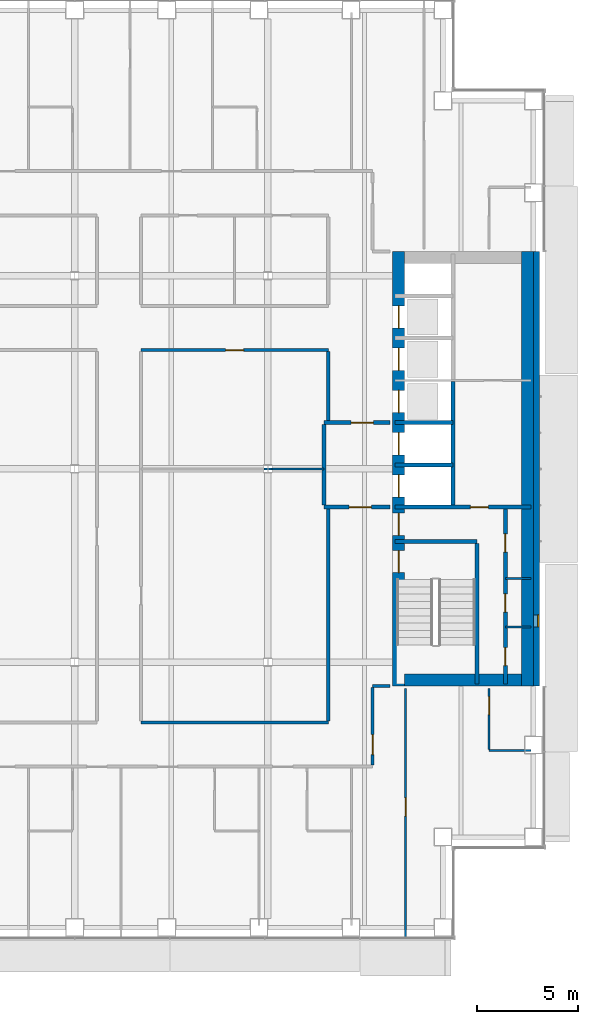
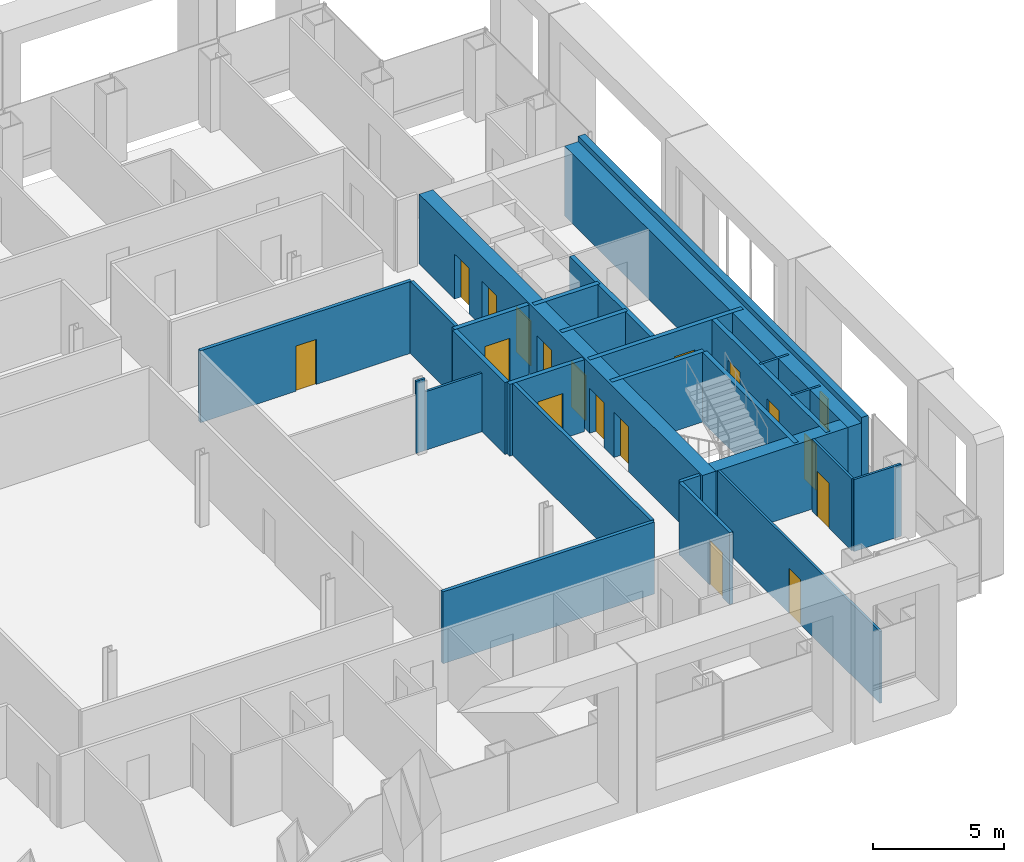
# One storey, part 12 of 20: 27 walls, 17 doors, 1 window, 18 openings.
"""IFC4 building model written with IfcOpenShell, lengths in metres."""

from ifc_helpers import new_model, si_unit, direction, frame, frame_2d, origin, place, context, subcontext, project, spatial, rectangle, extrude, material, layer, layer_set, type_object, element, fill, save


model = new_model("IFC4")

# Units and contexts
model_context = context("Model", 3, precision=1e-05, world=origin(), true_north=direction((0.0, 1.0)))
body_context = subcontext(model_context, "Body", "Model", "MODEL_VIEW")
ifc_project = project(units=[si_unit("LENGTHUNIT", "METRE"), si_unit("AREAUNIT", "SQUARE_METRE"), si_unit("VOLUMEUNIT", "CUBIC_METRE"), si_unit("PLANEANGLEUNIT", "RADIAN"), si_unit("MASSUNIT", "GRAM", prefix="KILO")], contexts=[model_context])

# Site, building, storey
site_placement = place(None, origin())
site = spatial("IfcSite", under=ifc_project, at=site_placement, CompositionType="ELEMENT")
building_placement = place(site_placement, origin())
building = spatial("IfcBuilding", under=site, at=building_placement, Name="Cobrizo Arcos Hotel Tower", CompositionType="ELEMENT")
storey_placement = place(building_placement, frame((0.0, 0.0, 96.0)))
storey = spatial("IfcBuildingStorey", under=building, at=storey_placement, Name="L23", CompositionType="ELEMENT", Elevation=96.0)

# Walls
ifc_material_1 = material(Name="Gypsum board partition")
ifc_layer_1 = layer(ifc_material_1, 0.14990234375)
ifc_layer_set_1 = layer_set([ifc_layer_1], Name="Corridor wall EI 60 150")
wall_type_1 = type_object("IfcWallType", Name="Corridor wall EI 60 150", PredefinedType="PARTITIONING", material=ifc_layer_set_1)
wall_1_placement = place(storey_placement, frame((3.300048828125, -12.60009765625, 0.0), z_axis=(0.0, 0.0, 1.0), x_axis=(1.0, 0.0, 0.0)))
element("IfcWall", 1, at=wall_1_placement, inside=storey, type_object=wall_type_1, Name="Partition 009", PredefinedType="PARTITIONING", context=body_context, shape_type="SweptSolid", body=[
    extrude(rectangle(XDim=9.300048828125, YDim=0.14990234375, at=frame_2d((4.64990234375, 0.0))), origin(), (0.0, 0.0, 1.0), 3.35009765625),
])
wall_2_placement = place(storey_placement, frame((14.800048828125, -10.800048828125, 0.0), z_axis=(0.0, 0.0, 1.0), x_axis=(1.0, 0.0, 0.0)))
element("IfcWall", 2, at=wall_2_placement, inside=storey, type_object=wall_type_1, Name="Partition 011", PredefinedType="PARTITIONING", context=body_context, shape_type="SweptSolid", body=[
    extrude(rectangle(XDim=0.8798828125, YDim=0.14990234375, at=frame_2d((0.43994140625, 0.0))), origin(), (0.0, 0.0, 1.0), 3.35009765625),
])

# Wall, opening, door
wall_3_placement = place(storey_placement, frame((3.300048828125, 5.89990234375, 0.0), z_axis=(0.0, 0.0, 1.0), x_axis=(1.0, 0.0, 0.0)))
wall_3 = element("IfcWall", 3, at=wall_3_placement, inside=storey, type_object=wall_type_1, Name="Partition 034", PredefinedType="PARTITIONING", context=body_context, shape_type="SweptSolid", body=[
    extrude(rectangle(XDim=9.300048828125, YDim=0.14990234375, at=frame_2d((4.64990234375, 0.0))), origin(), (0.0, 0.0, 1.0), 3.35009765625),
])
opening_1_placement = place(wall_3_placement, frame((4.199951171875, 0.0, 0.0)))
opening_1 = element("IfcOpeningElement", 4, at=opening_1_placement, cuts=wall_3, Name="Opening RD-16", PredefinedType="OPENING", context=body_context, shape_type="SweptSolid", body=[
    extrude(rectangle(XDim=0.89990234375, YDim=2.10009765625, at=frame_2d((0.449951171875, 1.050048828125))), frame((0.0, 0.0869140625, 0.0), z_axis=(0.0, -1.0, 0.0), x_axis=(1.0, 0.0, 0.0)), (0.0, 0.0, 1.0), 0.173828125),
])
ifc_material_2 = material(Name="Timber door leaf", Category="wood")
door_type_1 = type_object("IfcDoorType", Name="Room door FD30 900x2100", OperationType="SINGLE_SWING_LEFT", PredefinedType="DOOR", material=ifc_material_2)
door_1_placement = place(opening_1_placement, origin())
door_1 = element("IfcDoor", 5, at=door_1_placement, inside=storey, type_object=door_type_1, Name="Door RD-16", OperationType="SINGLE_SWING_RIGHT", OverallHeight=2.10009765625, OverallWidth=0.89990234375, PredefinedType="DOOR", context=body_context, shape_type="SweptSolid", body=[
    extrude(rectangle(XDim=0.89990234375, YDim=2.10009765625, at=frame_2d((0.449951171875, 1.050048828125))), frame((0.0, 0.02490234375, 0.0), z_axis=(0.0, -1.0, 0.0), x_axis=(1.0, 0.0, 0.0)), (0.0, 0.0, 1.0), 0.050048828125),
])
fill(opening_1, door_1)

# Walls
wall_4_placement = place(storey_placement, frame((12.60009765625, -12.52490234375, 0.0), z_axis=(0.0, 0.0, 1.0), x_axis=(0.0, 1.0, 0.0)))
element("IfcWall", 6, at=wall_4_placement, inside=storey, type_object=wall_type_1, Name="Partition 092", PredefinedType="PARTITIONING", context=body_context, shape_type="SweptSolid", body=[
    extrude(rectangle(XDim=10.52490234375, YDim=0.14990234375, at=frame_2d((5.262451171875, 0.0))), origin(), (0.0, 0.0, 1.0), 3.35009765625),
])
wall_5_placement = place(storey_placement, frame((12.60009765625, 2.39990234375, 0.0), z_axis=(0.0, 0.0, 1.0), x_axis=(0.0, 1.0, 0.0)))
element("IfcWall", 7, at=wall_5_placement, inside=storey, type_object=wall_type_1, Name="Partition 093", PredefinedType="PARTITIONING", context=body_context, shape_type="SweptSolid", body=[
    extrude(rectangle(XDim=3.425048828125, YDim=0.14990234375, at=frame_2d((1.71240234375, 0.0))), origin(), (0.0, 0.0, 1.0), 3.35009765625),
])

# Wall, opening, door
wall_6_placement = place(storey_placement, frame((14.800048828125, -14.72509765625, 0.0), z_axis=(0.0, 0.0, 1.0), x_axis=(0.0, 1.0, 0.0)))
wall_6 = element("IfcWall", 8, at=wall_6_placement, inside=storey, type_object=wall_type_1, Name="Partition 097", PredefinedType="PARTITIONING", context=body_context, shape_type="SweptSolid", body=[
    extrude(rectangle(XDim=3.85009765625, YDim=0.14990234375, at=frame_2d((1.925048828125, 0.0))), origin(), (0.0, 0.0, 1.0), 3.35009765625),
])
opening_2_placement = place(wall_6_placement, frame((0.52490234375, 0.0, 0.0)))
opening_2 = element("IfcOpeningElement", 9, at=opening_2_placement, cuts=wall_6, Name="Opening GD-12", PredefinedType="OPENING", context=body_context, shape_type="SweptSolid", body=[
    extrude(rectangle(XDim=1.0, YDim=2.10009765625, at=frame_2d((0.5, 1.050048828125))), frame((0.0, 0.0869140625, 0.0), z_axis=(0.0, -1.0, 0.0), x_axis=(1.0, 0.0, 0.0)), (0.0, 0.0, 1.0), 0.173828125),
])
door_type_2 = type_object("IfcDoorType", Name="Guest room door FD30S 1000x2100", OperationType="SINGLE_SWING_LEFT", PredefinedType="DOOR", material=ifc_material_2)
door_2_placement = place(opening_2_placement, origin())
door_2 = element("IfcDoor", 10, at=door_2_placement, inside=storey, type_object=door_type_2, Name="Door GD-12", OperationType="SINGLE_SWING_LEFT", OverallHeight=2.10009765625, OverallWidth=1.0, PredefinedType="DOOR", context=body_context, shape_type="SweptSolid", body=[
    extrude(rectangle(XDim=1.0, YDim=2.10009765625, at=frame_2d((0.5, 1.050048828125))), frame((0.0, 0.02490234375, 0.0), z_axis=(0.0, -1.0, 0.0), x_axis=(1.0, 0.0, 0.0)), (0.0, 0.0, 1.0), 0.050048828125),
])
fill(opening_2, door_2)

# Wall, opening, window
ifc_material_3 = material(Name="Aluminium composite panel pale metal", Category="aluminium")
ifc_layer_2 = layer(ifc_material_3, 0.300048828125)
ifc_layer_set_2 = layer_set([ifc_layer_2], Name="EW-1 insulated panel wall 300")
wall_type_2 = type_object("IfcWallType", Name="EW-1 insulated panel wall 300", PredefinedType="SOLIDWALL", material=ifc_layer_set_2)
wall_7_placement = place(storey_placement, frame((22.949951171875, -10.800048828125, 0.0), z_axis=(0.0, 0.0, 1.0), x_axis=(0.0, 1.0, 0.0)))
wall_7 = element("IfcWall", 11, at=wall_7_placement, inside=storey, type_object=wall_type_2, Name="Core face wall L23 E", PredefinedType="SOLIDWALL", context=body_context, shape_type="SweptSolid", body=[
    extrude(rectangle(XDim=21.60009765625, YDim=0.300048828125, at=frame_2d((10.800048828125, 0.0))), origin(), (0.0, 0.0, 1.0), 3.5),
])
opening_3_placement = place(wall_7_placement, frame((2.949951171875, 0.0, 1.0)))
opening_3 = element("IfcOpeningElement", 12, at=opening_3_placement, cuts=wall_7, Name="Opening W-47", PredefinedType="OPENING", context=body_context, shape_type="SweptSolid", body=[
    extrude(rectangle(XDim=0.60009765625, YDim=1.5, at=frame_2d((0.300048828125, 0.75))), frame((0.0, 0.162109375, 0.0), z_axis=(0.0, -1.0, 0.0), x_axis=(1.0, 0.0, 0.0)), (0.0, 0.0, 1.0), 0.323974609375),
])
ifc_material_4 = material(Name="Aluminium 6063-T6 and clear laminated glass", Category="aluminium")
window_type = type_object("IfcWindowType", Name="W-C1 core stair slot window 600x1500", PartitioningType="SINGLE_PANEL", PredefinedType="WINDOW", material=ifc_material_4)
window_placement = place(opening_3_placement, origin())
window = element("IfcWindow", 13, at=window_placement, inside=storey, type_object=window_type, Name="Core face wall L23 E window W-47", OverallHeight=1.5, OverallWidth=0.60009765625, PartitioningType="SINGLE_PANEL", PredefinedType="WINDOW", context=body_context, shape_type="SweptSolid", body=[
    extrude(rectangle(XDim=0.60009765625, YDim=1.5, at=frame_2d((0.300048828125, 0.75))), frame((0.0, -0.06005859375, 0.0), z_axis=(0.0, -1.0, 0.0), x_axis=(1.0, 0.0, 0.0)), (0.0, 0.0, 1.0), 0.06005859375),
])
fill(opening_3, window)

# Walls
ifc_layer_3 = layer(ifc_material_1, 0.10009765625)
ifc_layer_set_3 = layer_set([ifc_layer_3], Name="Partition EI 30 100")
wall_type_3 = type_object("IfcWallType", Name="Partition EI 30 100", PredefinedType="PARTITIONING", material=ifc_layer_set_3)
wall_8_placement = place(storey_placement, frame((20.60009765625, -14.0, 0.0), z_axis=(0.0, 0.0, 1.0), x_axis=(1.0, 0.0, 0.0)))
element("IfcWall", 14, at=wall_8_placement, inside=storey, type_object=wall_type_3, Name="Partition 007", PredefinedType="PARTITIONING", context=body_context, shape_type="SweptSolid", body=[
    extrude(rectangle(XDim=2.079833984375, YDim=0.10009765625, at=frame_2d((1.0400390625, 0.0))), origin(), (0.0, 0.0, 1.0), 3.35009765625),
])
for number, where, z_axis, x_axis, name in (
    (15, (21.39990234375, -7.85009765625, 0.0), (0.0, 0.0, 1.0), (1.0, 0.0, 0.0), "Partition 013"),
    (16, (21.39990234375, -5.449951171875, 0.0), (0.0, 0.0, 1.0), (1.0, 0.0, 0.0), "Partition 015"),
):
    element("IfcWall", number, at=place(storey_placement, frame(where, z_axis=z_axis, x_axis=x_axis)), inside=storey, type_object=wall_type_3, Name=name, PredefinedType="PARTITIONING", context=body_context, shape_type="SweptSolid", body=[
        extrude(rectangle(XDim=1.280029296875, YDim=0.10009765625, at=frame_2d((0.64013671875, 0.0))), origin(), (0.0, 0.0, 1.0), 3.25),
    ])
wall_9_placement = place(storey_placement, frame((9.40087890625, 0.0, 0.0), z_axis=(0.0, 0.0, 1.0), x_axis=(1.0, 0.0, 0.0)))
element("IfcWall", 17, at=wall_9_placement, inside=storey, type_object=wall_type_3, Name="Partition 023", PredefinedType="PARTITIONING", context=body_context, shape_type="SweptSolid", body=[
    extrude(rectangle(XDim=0.398193359375, YDim=0.10009765625, at=frame_2d((0.19921875, 0.0))), origin(), (0.0, 0.0, 1.0), 3.35009765625),
])
wall_10_placement = place(storey_placement, frame((9.799072265625, 0.0, 0.0), z_axis=(0.0, 0.0, 1.0), x_axis=(1.0, 0.0, 0.0)))
element("IfcWall", 18, at=wall_10_placement, inside=storey, type_object=wall_type_3, Name="Partition 024", PredefinedType="PARTITIONING", context=body_context, shape_type="SweptSolid", body=[
    extrude(rectangle(XDim=2.600830078125, YDim=0.10009765625, at=frame_2d((1.30029296875, 0.0))), origin(), (0.0, 0.0, 1.0), 2.72802734375),
])

# Wall, opening, door
wall_11_placement = place(storey_placement, frame((16.449951171875, -23.280029296875, 0.0), z_axis=(0.0, 0.0, 1.0), x_axis=(0.0, 1.0, 0.0)))
wall_11 = element("IfcWall", 19, at=wall_11_placement, inside=storey, type_object=wall_type_3, Name="Partition 099", PredefinedType="PARTITIONING", context=body_context, shape_type="SweptSolid", body=[
    extrude(rectangle(XDim=12.360107421875, YDim=0.10009765625, at=frame_2d((6.18017578125, 0.0))), origin(), (0.0, 0.0, 1.0), 3.35009765625),
])
opening_4_placement = place(wall_11_placement, frame((6.030029296875, 0.0, 0.0)))
opening_4 = element("IfcOpeningElement", 20, at=opening_4_placement, cuts=wall_11, Name="Opening RD-14", PredefinedType="OPENING", context=body_context, shape_type="SweptSolid", body=[
    extrude(rectangle(XDim=0.89990234375, YDim=2.10009765625, at=frame_2d((0.449951171875, 1.050048828125))), frame((0.0, 0.06201171875, 0.0), z_axis=(0.0, -1.0, 0.0), x_axis=(1.0, 0.0, 0.0)), (0.0, 0.0, 1.0), 0.1240234375),
])
door_3_placement = place(opening_4_placement, origin())
door_3 = element("IfcDoor", 21, at=door_3_placement, inside=storey, type_object=door_type_1, Name="Door RD-14", OperationType="SINGLE_SWING_LEFT", OverallHeight=2.10009765625, OverallWidth=0.89990234375, PredefinedType="DOOR", context=body_context, shape_type="SweptSolid", body=[
    extrude(rectangle(XDim=0.89990234375, YDim=2.10009765625, at=frame_2d((0.449951171875, 1.050048828125))), frame((0.0, 0.02490234375, 0.0), z_axis=(0.0, -1.0, 0.0), x_axis=(1.0, 0.0, 0.0)), (0.0, 0.0, 1.0), 0.050048828125),
])
fill(opening_4, door_3)

wall_12_placement = place(storey_placement, frame((20.60009765625, -13.949951171875, 0.0), z_axis=(0.0, 0.0, 1.0), x_axis=(0.0, 1.0, 0.0)))
wall_12 = element("IfcWall", 22, at=wall_12_placement, inside=storey, type_object=wall_type_3, Name="Partition 104", PredefinedType="PARTITIONING", context=body_context, shape_type="SweptSolid", body=[
    extrude(rectangle(XDim=3.030029296875, YDim=0.10009765625, at=frame_2d((1.51513671875, 0.0))), origin(), (0.0, 0.0, 1.0), 3.35009765625),
])
opening_5_placement = place(wall_12_placement, frame((1.739990234375, 0.0, 0.0)))
opening_5 = element("IfcOpeningElement", 23, at=opening_5_placement, cuts=wall_12, Name="Opening ED-12", PredefinedType="OPENING", context=body_context, shape_type="SweptSolid", body=[
    extrude(rectangle(XDim=0.89990234375, YDim=2.10009765625, at=frame_2d((0.449951171875, 1.050048828125))), frame((0.0, 0.06201171875, 0.0), z_axis=(0.0, -1.0, 0.0), x_axis=(1.0, 0.0, 0.0)), (0.0, 0.0, 1.0), 0.1240234375),
])
door_type_3 = type_object("IfcDoorType", Name="En-suite door 900x2100", OperationType="SINGLE_SWING_LEFT", PredefinedType="DOOR", material=ifc_material_2)
door_4_placement = place(opening_5_placement, origin())
door_4 = element("IfcDoor", 24, at=door_4_placement, inside=storey, type_object=door_type_3, Name="Door ED-12", OperationType="SINGLE_SWING_RIGHT", OverallHeight=2.10009765625, OverallWidth=0.89990234375, PredefinedType="DOOR", context=body_context, shape_type="SweptSolid", body=[
    extrude(rectangle(XDim=0.89990234375, YDim=2.10009765625, at=frame_2d((0.449951171875, 1.050048828125))), frame((0.0, 0.02490234375, 0.0), z_axis=(0.0, -1.0, 0.0), x_axis=(1.0, 0.0, 0.0)), (0.0, 0.0, 1.0), 0.050048828125),
])
fill(opening_5, door_4)

# Wall, openings, doors
ifc_material_5 = material(Name="Concrete f'c 50 MPa", Category="concrete")
ifc_layer_4 = layer(ifc_material_5, 0.60009765625)
ifc_layer_set_4 = layer_set([ifc_layer_4], Name="RC core wall 600 f'c 50")
wall_type_4 = type_object("IfcWallType", Name="RC core wall 600 f'c 50", PredefinedType="SHEAR", material=ifc_layer_set_4)
wall_13_placement = place(storey_placement, frame((16.10009765625, -10.800048828125, 0.0), z_axis=(0.0, 0.0, 1.0), x_axis=(0.0, 1.0, 0.0)))
wall_13 = element("IfcWall", 25, at=wall_13_placement, inside=storey, type_object=wall_type_4, Name="Core wall CW2, east core, inner face, L23", PredefinedType="SHEAR", context=body_context, shape_type="SweptSolid", body=[
    extrude(rectangle(XDim=21.60009765625, YDim=0.60009765625, at=frame_2d((10.800048828125, 0.0))), origin(), (0.0, 0.0, 1.0), 3.25),
])
opening_6_placement = place(wall_13_placement, frame((9.39990234375, 0.0, 0.0)))
opening_6 = element("IfcOpeningElement", 26, at=opening_6_placement, cuts=wall_13, Name="Opening LD-06", PredefinedType="OPENING", context=body_context, shape_type="SweptSolid", body=[
    extrude(rectangle(XDim=1.10009765625, YDim=2.10009765625, at=frame_2d((0.550048828125, 1.050048828125))), frame((0.0, 0.31201171875, 0.0), z_axis=(0.0, -1.0, 0.0), x_axis=(1.0, 0.0, 0.0)), (0.0, 0.0, 1.0), 0.6240234375),
])
opening_7_placement = place(wall_13_placement, frame((11.5, 0.0, 0.0)))
opening_7 = element("IfcOpeningElement", 27, at=opening_7_placement, cuts=wall_13, Name="Opening LD-07", PredefinedType="OPENING", context=body_context, shape_type="SweptSolid", body=[
    extrude(rectangle(XDim=1.10009765625, YDim=2.10009765625, at=frame_2d((0.550048828125, 1.050048828125))), frame((0.0, 0.31201171875, 0.0), z_axis=(0.0, -1.0, 0.0), x_axis=(1.0, 0.0, 0.0)), (0.0, 0.0, 1.0), 0.6240234375),
])
opening_8_placement = place(wall_13_placement, frame((13.60009765625, 0.0, 0.0)))
opening_8 = element("IfcOpeningElement", 28, at=opening_8_placement, cuts=wall_13, Name="Opening LD-08", PredefinedType="OPENING", context=body_context, shape_type="SweptSolid", body=[
    extrude(rectangle(XDim=1.10009765625, YDim=2.10009765625, at=frame_2d((0.550048828125, 1.050048828125))), frame((0.0, 0.31201171875, 0.0), z_axis=(0.0, -1.0, 0.0), x_axis=(1.0, 0.0, 0.0)), (0.0, 0.0, 1.0), 0.6240234375),
])
opening_9_placement = place(wall_13_placement, frame((15.699951171875, 0.0, 0.0)))
opening_9 = element("IfcOpeningElement", 29, at=opening_9_placement, cuts=wall_13, Name="Opening LD-09", PredefinedType="OPENING", context=body_context, shape_type="SweptSolid", body=[
    extrude(rectangle(XDim=1.10009765625, YDim=2.10009765625, at=frame_2d((0.550048828125, 1.050048828125))), frame((0.0, 0.31201171875, 0.0), z_axis=(0.0, -1.0, 0.0), x_axis=(1.0, 0.0, 0.0)), (0.0, 0.0, 1.0), 0.6240234375),
])
opening_10_placement = place(wall_13_placement, frame((17.800048828125, 0.0, 0.0)))
opening_10 = element("IfcOpeningElement", 30, at=opening_10_placement, cuts=wall_13, Name="Opening LD-10", PredefinedType="OPENING", context=body_context, shape_type="SweptSolid", body=[
    extrude(rectangle(XDim=1.10009765625, YDim=2.10009765625, at=frame_2d((0.550048828125, 1.050048828125))), frame((0.0, 0.31201171875, 0.0), z_axis=(0.0, -1.0, 0.0), x_axis=(1.0, 0.0, 0.0)), (0.0, 0.0, 1.0), 0.6240234375),
])
opening_11_placement = place(wall_13_placement, frame((5.64208984375, 0.0, 0.0)))
opening_11 = element("IfcOpeningElement", 31, at=opening_11_placement, cuts=wall_13, Name="Opening SD-02", PredefinedType="OPENING", context=body_context, shape_type="SweptSolid", body=[
    extrude(rectangle(XDim=1.10009765625, YDim=2.10009765625, at=frame_2d((0.550048828125, 1.050048828125))), frame((0.0, 0.31201171875, 0.0), z_axis=(0.0, -1.0, 0.0), x_axis=(1.0, 0.0, 0.0)), (0.0, 0.0, 1.0), 0.6240234375),
])
opening_12_placement = place(wall_13_placement, frame((7.5, 0.0, 0.0)))
opening_12 = element("IfcOpeningElement", 32, at=opening_12_placement, cuts=wall_13, Name="Opening FD-04", PredefinedType="OPENING", context=body_context, shape_type="SweptSolid", body=[
    extrude(rectangle(XDim=1.10009765625, YDim=2.10009765625, at=frame_2d((0.550048828125, 1.050048828125))), frame((0.0, 0.31201171875, 0.0), z_axis=(0.0, -1.0, 0.0), x_axis=(1.0, 0.0, 0.0)), (0.0, 0.0, 1.0), 0.6240234375),
])
ifc_material_6 = material(Name="Steel door leaf", Category="steel")
door_type_4 = type_object("IfcDoorType", Name="Fire door FD60 1100x2100", OperationType="SINGLE_SWING_LEFT", PredefinedType="DOOR", material=ifc_material_6)
door_5_placement = place(opening_12_placement, origin())
door_5 = element("IfcDoor", 33, at=door_5_placement, inside=storey, type_object=door_type_4, Name="Door FD-04", OperationType="SINGLE_SWING_RIGHT", OverallHeight=2.10009765625, OverallWidth=1.10009765625, PredefinedType="DOOR", context=body_context, shape_type="SweptSolid", body=[
    extrude(rectangle(XDim=1.10009765625, YDim=2.10009765625, at=frame_2d((0.550048828125, 1.050048828125))), frame((0.0, 0.02490234375, 0.0), z_axis=(0.0, -1.0, 0.0), x_axis=(1.0, 0.0, 0.0)), (0.0, 0.0, 1.0), 0.050048828125),
])
fill(opening_12, door_5)
door_type_5 = type_object("IfcDoorType", Name="Lift landing door 1100x2100", OperationType="SLIDING_TO_LEFT", PredefinedType="DOOR", material=ifc_material_6)
door_6_placement = place(opening_6_placement, origin())
door_6 = element("IfcDoor", 34, at=door_6_placement, inside=storey, type_object=door_type_5, Name="Lift landing door LD-06", OperationType="SLIDING_TO_LEFT", OverallHeight=2.10009765625, OverallWidth=1.10009765625, PredefinedType="DOOR", context=body_context, shape_type="SweptSolid", body=[
    extrude(rectangle(XDim=1.10009765625, YDim=2.10009765625, at=frame_2d((0.550048828125, 1.050048828125))), frame((0.0, 0.02490234375, 0.0), z_axis=(0.0, -1.0, 0.0), x_axis=(1.0, 0.0, 0.0)), (0.0, 0.0, 1.0), 0.050048828125),
])
fill(opening_6, door_6)
door_7_placement = place(opening_7_placement, origin())
door_7 = element("IfcDoor", 35, at=door_7_placement, inside=storey, type_object=door_type_5, Name="Lift landing door LD-07", OperationType="SLIDING_TO_LEFT", OverallHeight=2.10009765625, OverallWidth=1.10009765625, PredefinedType="DOOR", context=body_context, shape_type="SweptSolid", body=[
    extrude(rectangle(XDim=1.10009765625, YDim=2.10009765625, at=frame_2d((0.550048828125, 1.050048828125))), frame((0.0, 0.02490234375, 0.0), z_axis=(0.0, -1.0, 0.0), x_axis=(1.0, 0.0, 0.0)), (0.0, 0.0, 1.0), 0.050048828125),
])
fill(opening_7, door_7)
door_8_placement = place(opening_8_placement, origin())
door_8 = element("IfcDoor", 36, at=door_8_placement, inside=storey, type_object=door_type_5, Name="Lift landing door LD-08", OperationType="SLIDING_TO_LEFT", OverallHeight=2.10009765625, OverallWidth=1.10009765625, PredefinedType="DOOR", context=body_context, shape_type="SweptSolid", body=[
    extrude(rectangle(XDim=1.10009765625, YDim=2.10009765625, at=frame_2d((0.550048828125, 1.050048828125))), frame((0.0, 0.02490234375, 0.0), z_axis=(0.0, -1.0, 0.0), x_axis=(1.0, 0.0, 0.0)), (0.0, 0.0, 1.0), 0.050048828125),
])
fill(opening_8, door_8)
door_9_placement = place(opening_9_placement, origin())
door_9 = element("IfcDoor", 37, at=door_9_placement, inside=storey, type_object=door_type_5, Name="Lift landing door LD-09", OperationType="SLIDING_TO_LEFT", OverallHeight=2.10009765625, OverallWidth=1.10009765625, PredefinedType="DOOR", context=body_context, shape_type="SweptSolid", body=[
    extrude(rectangle(XDim=1.10009765625, YDim=2.10009765625, at=frame_2d((0.550048828125, 1.050048828125))), frame((0.0, 0.02490234375, 0.0), z_axis=(0.0, -1.0, 0.0), x_axis=(1.0, 0.0, 0.0)), (0.0, 0.0, 1.0), 0.050048828125),
])
fill(opening_9, door_9)
door_10_placement = place(opening_10_placement, origin())
door_10 = element("IfcDoor", 38, at=door_10_placement, inside=storey, type_object=door_type_5, Name="Lift landing door LD-10", OperationType="SLIDING_TO_LEFT", OverallHeight=2.10009765625, OverallWidth=1.10009765625, PredefinedType="DOOR", context=body_context, shape_type="SweptSolid", body=[
    extrude(rectangle(XDim=1.10009765625, YDim=2.10009765625, at=frame_2d((0.550048828125, 1.050048828125))), frame((0.0, 0.02490234375, 0.0), z_axis=(0.0, -1.0, 0.0), x_axis=(1.0, 0.0, 0.0)), (0.0, 0.0, 1.0), 0.050048828125),
])
fill(opening_10, door_10)
door_type_6 = type_object("IfcDoorType", Name="Stair door FD60S 1100x2100", OperationType="SINGLE_SWING_LEFT", PredefinedType="DOOR", material=ifc_material_6)
door_11_placement = place(opening_11_placement, origin())
door_11 = element("IfcDoor", 39, at=door_11_placement, inside=storey, type_object=door_type_6, Name="Door SD-02", OperationType="SINGLE_SWING_LEFT", OverallHeight=2.10009765625, OverallWidth=1.10009765625, PredefinedType="DOOR", context=body_context, shape_type="SweptSolid", body=[
    extrude(rectangle(XDim=1.10009765625, YDim=2.10009765625, at=frame_2d((0.550048828125, 1.050048828125))), frame((0.0, 0.02490234375, 0.0), z_axis=(0.0, -1.0, 0.0), x_axis=(1.0, 0.0, 0.0)), (0.0, 0.0, 1.0), 0.050048828125),
])
fill(opening_11, door_11)

# Walls
wall_14_placement = place(storey_placement, frame((22.5, -10.800048828125, 0.0), z_axis=(0.0, 0.0, 1.0), x_axis=(0.0, 1.0, 0.0)))
element("IfcWall", 40, at=wall_14_placement, inside=storey, type_object=wall_type_4, Name="Core wall CW2, east core, outer face, L23", PredefinedType="SHEAR", context=body_context, shape_type="SweptSolid", body=[
    extrude(rectangle(XDim=21.60009765625, YDim=0.60009765625, at=frame_2d((10.800048828125, 0.0))), origin(), (0.0, 0.0, 1.0), 3.25),
])
wall_15_placement = place(storey_placement, frame((16.39990234375, -10.5, 0.0), z_axis=(0.0, 0.0, 1.0), x_axis=(1.0, 0.0, 0.0)))
element("IfcWall", 41, at=wall_15_placement, inside=storey, type_object=wall_type_4, Name="Core wall CW2, east core, south end, L23", PredefinedType="SHEAR", context=body_context, shape_type="SweptSolid", body=[
    extrude(rectangle(XDim=5.800048828125, YDim=0.60009765625, at=frame_2d((2.89990234375, 0.0))), origin(), (0.0, 0.0, 1.0), 3.25),
])

# Wall, opening, door
ifc_layer_5 = layer(ifc_material_1, 0.199951171875)
ifc_layer_set_5 = layer_set([ifc_layer_5], Name="Shaft wall EI 120 200")
wall_type_5 = type_object("IfcWallType", Name="Shaft wall EI 120 200", PredefinedType="PARTITIONING", material=ifc_layer_set_5)
wall_16_placement = place(storey_placement, frame((12.39990234375, -1.89990234375, 0.0), z_axis=(0.0, 0.0, 1.0), x_axis=(1.0, 0.0, 0.0)))
wall_16 = element("IfcWall", 42, at=wall_16_placement, inside=storey, type_object=wall_type_5, Name="Partition 020", PredefinedType="PARTITIONING", context=body_context, shape_type="SweptSolid", body=[
    extrude(rectangle(XDim=3.280029296875, YDim=0.199951171875, at=frame_2d((1.64013671875, 0.0))), origin(), (0.0, 0.0, 1.0), 3.35009765625),
])
opening_13_placement = place(wall_16_placement, frame((1.239990234375, 0.0, 0.0)))
opening_13 = element("IfcOpeningElement", 43, at=opening_13_placement, cuts=wall_16, Name="Opening FD-05", PredefinedType="OPENING", context=body_context, shape_type="SweptSolid", body=[
    extrude(rectangle(XDim=1.10009765625, YDim=2.10009765625, at=frame_2d((0.550048828125, 1.050048828125))), frame((0.0, 0.112060546875, 0.0), z_axis=(0.0, -1.0, 0.0), x_axis=(1.0, 0.0, 0.0)), (0.0, 0.0, 1.0), 0.223876953125),
])
door_12_placement = place(opening_13_placement, origin())
door_12 = element("IfcDoor", 44, at=door_12_placement, inside=storey, type_object=door_type_4, Name="Door FD-05", OperationType="SINGLE_SWING_LEFT", OverallHeight=2.10009765625, OverallWidth=1.10009765625, PredefinedType="DOOR", context=body_context, shape_type="SweptSolid", body=[
    extrude(rectangle(XDim=1.10009765625, YDim=2.10009765625, at=frame_2d((0.550048828125, 1.050048828125))), frame((0.0, 0.02490234375, 0.0), z_axis=(0.0, -1.0, 0.0), x_axis=(1.0, 0.0, 0.0)), (0.0, 0.0, 1.0), 0.050048828125),
])
fill(opening_13, door_12)

wall_17_placement = place(storey_placement, frame((15.919921875, -1.89990234375, 0.0), z_axis=(0.0, 0.0, 1.0), x_axis=(1.0, 0.0, 0.0)))
wall_17 = element("IfcWall", 45, at=wall_17_placement, inside=storey, type_object=wall_type_5, Name="Partition 021", PredefinedType="PARTITIONING", context=body_context, shape_type="SweptSolid", body=[
    extrude(rectangle(XDim=6.760009765625, YDim=0.199951171875, at=frame_2d((3.3798828125, 0.0))), origin(), (0.0, 0.0, 1.0), 3.25),
])
opening_14_placement = place(wall_17_placement, frame((3.739990234375, 0.0, 0.0)))
opening_14 = element("IfcOpeningElement", 46, at=opening_14_placement, cuts=wall_17, Name="Opening RD-09", PredefinedType="OPENING", context=body_context, shape_type="SweptSolid", body=[
    extrude(rectangle(XDim=0.89990234375, YDim=2.10009765625, at=frame_2d((0.449951171875, 1.050048828125))), frame((0.0, 0.112060546875, 0.0), z_axis=(0.0, -1.0, 0.0), x_axis=(1.0, 0.0, 0.0)), (0.0, 0.0, 1.0), 0.223876953125),
])
door_13_placement = place(opening_14_placement, origin())
door_13 = element("IfcDoor", 47, at=door_13_placement, inside=storey, type_object=door_type_1, Name="Door RD-09", OperationType="SINGLE_SWING_RIGHT", OverallHeight=2.10009765625, OverallWidth=0.89990234375, PredefinedType="DOOR", context=body_context, shape_type="SweptSolid", body=[
    extrude(rectangle(XDim=0.89990234375, YDim=2.10009765625, at=frame_2d((0.449951171875, 1.050048828125))), frame((0.0, 0.02490234375, 0.0), z_axis=(0.0, -1.0, 0.0), x_axis=(1.0, 0.0, 0.0)), (0.0, 0.0, 1.0), 0.050048828125),
])
fill(opening_14, door_13)

# Wall
wall_18_placement = place(storey_placement, frame((15.919921875, 0.199951171875, 0.0), z_axis=(0.0, 0.0, 1.0), x_axis=(1.0, 0.0, 0.0)))
element("IfcWall", 48, at=wall_18_placement, inside=storey, type_object=wall_type_5, Name="Partition 026", PredefinedType="PARTITIONING", context=body_context, shape_type="SweptSolid", body=[
    extrude(rectangle(XDim=2.880126953125, YDim=0.199951171875, at=frame_2d((1.43994140625, 0.0))), origin(), (0.0, 0.0, 1.0), 3.25),
])

# Wall, opening, door
wall_19_placement = place(storey_placement, frame((12.39990234375, 2.300048828125, 0.0), z_axis=(0.0, 0.0, 1.0), x_axis=(1.0, 0.0, 0.0)))
wall_19 = element("IfcWall", 49, at=wall_19_placement, inside=storey, type_object=wall_type_5, Name="Partition 029", PredefinedType="PARTITIONING", context=body_context, shape_type="SweptSolid", body=[
    extrude(rectangle(XDim=3.280029296875, YDim=0.199951171875, at=frame_2d((1.64013671875, 0.0))), origin(), (0.0, 0.0, 1.0), 3.35009765625),
])
opening_15_placement = place(wall_19_placement, frame((1.340087890625, 0.0, 0.0)))
opening_15 = element("IfcOpeningElement", 50, at=opening_15_placement, cuts=wall_19, Name="Opening FD-06", PredefinedType="OPENING", context=body_context, shape_type="SweptSolid", body=[
    extrude(rectangle(XDim=1.10009765625, YDim=2.10009765625, at=frame_2d((0.550048828125, 1.050048828125))), frame((0.0, 0.112060546875, 0.0), z_axis=(0.0, -1.0, 0.0), x_axis=(1.0, 0.0, 0.0)), (0.0, 0.0, 1.0), 0.223876953125),
])
door_14_placement = place(opening_15_placement, origin())
door_14 = element("IfcDoor", 51, at=door_14_placement, inside=storey, type_object=door_type_4, Name="Door FD-06", OperationType="SINGLE_SWING_RIGHT", OverallHeight=2.10009765625, OverallWidth=1.10009765625, PredefinedType="DOOR", context=body_context, shape_type="SweptSolid", body=[
    extrude(rectangle(XDim=1.10009765625, YDim=2.10009765625, at=frame_2d((0.550048828125, 1.050048828125))), frame((0.0, 0.02490234375, 0.0), z_axis=(0.0, -1.0, 0.0), x_axis=(1.0, 0.0, 0.0)), (0.0, 0.0, 1.0), 0.050048828125),
])
fill(opening_15, door_14)

# Walls
wall_20_placement = place(storey_placement, frame((15.919921875, 2.300048828125, 0.0), z_axis=(0.0, 0.0, 1.0), x_axis=(1.0, 0.0, 0.0)))
element("IfcWall", 52, at=wall_20_placement, inside=storey, type_object=wall_type_5, Name="Partition 030", PredefinedType="PARTITIONING", context=body_context, shape_type="SweptSolid", body=[
    extrude(rectangle(XDim=2.880126953125, YDim=0.199951171875, at=frame_2d((1.43994140625, 0.0))), origin(), (0.0, 0.0, 1.0), 3.25),
])
wall_21_placement = place(storey_placement, frame((12.39990234375, -1.800048828125, 0.0), z_axis=(0.0, 0.0, 1.0), x_axis=(0.0, 1.0, 0.0)))
element("IfcWall", 53, at=wall_21_placement, inside=storey, type_object=wall_type_5, Name="Partition 091", PredefinedType="PARTITIONING", context=body_context, shape_type="SweptSolid", body=[
    extrude(rectangle(XDim=4.0, YDim=0.199951171875, at=frame_2d((2.0, 0.0))), origin(), (0.0, 0.0, 1.0), 3.35009765625),
])
wall_22_placement = place(storey_placement, frame((18.800048828125, -1.800048828125, 0.0), z_axis=(0.0, 0.0, 1.0), x_axis=(0.0, 1.0, 0.0)))
element("IfcWall", 54, at=wall_22_placement, inside=storey, type_object=wall_type_5, Name="Partition 101", PredefinedType="PARTITIONING", context=body_context, shape_type="SweptSolid", body=[
    extrude(rectangle(XDim=6.150146484375, YDim=0.199951171875, at=frame_2d((3.0751953125, 0.0))), origin(), (0.0, 0.0, 1.0), 3.25),
])

# Wall, openings, doors
wall_23_placement = place(storey_placement, frame((21.39990234375, -10.679931640625, 0.0), z_axis=(0.0, 0.0, 1.0), x_axis=(0.0, 1.0, 0.0)))
wall_23 = element("IfcWall", 55, at=wall_23_placement, inside=storey, type_object=wall_type_5, Name="Partition 106", PredefinedType="PARTITIONING", context=body_context, shape_type="SweptSolid", body=[
    extrude(rectangle(XDim=8.679931640625, YDim=0.199951171875, at=frame_2d((4.33984375, 0.0))), origin(), (0.0, 0.0, 1.0), 3.25),
])
opening_16_placement = place(wall_23_placement, frame((0.89892578125, 0.0, 0.0)))
opening_16 = element("IfcOpeningElement", 56, at=opening_16_placement, cuts=wall_23, Name="Opening RD-06", PredefinedType="OPENING", context=body_context, shape_type="SweptSolid", body=[
    extrude(rectangle(XDim=0.89990234375, YDim=2.10009765625, at=frame_2d((0.449951171875, 1.050048828125))), frame((0.0, 0.112060546875, 0.0), z_axis=(0.0, -1.0, 0.0), x_axis=(1.0, 0.0, 0.0)), (0.0, 0.0, 1.0), 0.223876953125),
])
opening_17_placement = place(wall_23_placement, frame((3.569091796875, 0.0, 0.0)))
opening_17 = element("IfcOpeningElement", 57, at=opening_17_placement, cuts=wall_23, Name="Opening RD-07", PredefinedType="OPENING", context=body_context, shape_type="SweptSolid", body=[
    extrude(rectangle(XDim=0.89990234375, YDim=2.10009765625, at=frame_2d((0.449951171875, 1.050048828125))), frame((0.0, 0.112060546875, 0.0), z_axis=(0.0, -1.0, 0.0), x_axis=(1.0, 0.0, 0.0)), (0.0, 0.0, 1.0), 0.223876953125),
])
opening_18_placement = place(wall_23_placement, frame((6.550048828125, 0.0, 0.0)))
opening_18 = element("IfcOpeningElement", 58, at=opening_18_placement, cuts=wall_23, Name="Opening RD-08", PredefinedType="OPENING", context=body_context, shape_type="SweptSolid", body=[
    extrude(rectangle(XDim=0.89990234375, YDim=2.10009765625, at=frame_2d((0.449951171875, 1.050048828125))), frame((0.0, 0.112060546875, 0.0), z_axis=(0.0, -1.0, 0.0), x_axis=(1.0, 0.0, 0.0)), (0.0, 0.0, 1.0), 0.223876953125),
])
door_15_placement = place(opening_16_placement, origin())
door_15 = element("IfcDoor", 59, at=door_15_placement, inside=storey, type_object=door_type_1, Name="Door RD-06", OperationType="SINGLE_SWING_RIGHT", OverallHeight=2.10009765625, OverallWidth=0.89990234375, PredefinedType="DOOR", context=body_context, shape_type="SweptSolid", body=[
    extrude(rectangle(XDim=0.89990234375, YDim=2.10009765625, at=frame_2d((0.449951171875, 1.050048828125))), frame((0.0, 0.02490234375, 0.0), z_axis=(0.0, -1.0, 0.0), x_axis=(1.0, 0.0, 0.0)), (0.0, 0.0, 1.0), 0.050048828125),
])
fill(opening_16, door_15)
door_16_placement = place(opening_17_placement, origin())
door_16 = element("IfcDoor", 60, at=door_16_placement, inside=storey, type_object=door_type_1, Name="Door RD-07", OperationType="SINGLE_SWING_LEFT", OverallHeight=2.10009765625, OverallWidth=0.89990234375, PredefinedType="DOOR", context=body_context, shape_type="SweptSolid", body=[
    extrude(rectangle(XDim=0.89990234375, YDim=2.10009765625, at=frame_2d((0.449951171875, 1.050048828125))), frame((0.0, 0.02490234375, 0.0), z_axis=(0.0, -1.0, 0.0), x_axis=(1.0, 0.0, 0.0)), (0.0, 0.0, 1.0), 0.050048828125),
])
fill(opening_17, door_16)
door_17_placement = place(opening_18_placement, origin())
door_17 = element("IfcDoor", 61, at=door_17_placement, inside=storey, type_object=door_type_1, Name="Door RD-08", OperationType="SINGLE_SWING_RIGHT", OverallHeight=2.10009765625, OverallWidth=0.89990234375, PredefinedType="DOOR", context=body_context, shape_type="SweptSolid", body=[
    extrude(rectangle(XDim=0.89990234375, YDim=2.10009765625, at=frame_2d((0.449951171875, 1.050048828125))), frame((0.0, 0.02490234375, 0.0), z_axis=(0.0, -1.0, 0.0), x_axis=(1.0, 0.0, 0.0)), (0.0, 0.0, 1.0), 0.050048828125),
])
fill(opening_18, door_17)

# Walls
ifc_material_7 = material(Name="Concrete f'c 40 MPa", Category="concrete")
ifc_layer_6 = layer(ifc_material_7, 0.199951171875)
ifc_layer_set_6 = layer_set([ifc_layer_6], Name="Stair shaft wall 200")
wall_type_6 = type_object("IfcWallType", Name="Stair shaft wall 200", PredefinedType="SHEAR", material=ifc_layer_set_6)
wall_24_placement = place(storey_placement, frame((15.919921875, -3.60009765625, 0.0), z_axis=(0.0, 0.0, 1.0), x_axis=(1.0, 0.0, 0.0)))
element("IfcWall", 62, at=wall_24_placement, inside=storey, type_object=wall_type_6, Name="Stair shaft wall E", PredefinedType="SHEAR", context=body_context, shape_type="SweptSolid", body=[
    extrude(rectangle(XDim=4.080078125, YDim=0.199951171875, at=frame_2d((2.0400390625, 0.0))), origin(), (0.0, 0.0, 1.0), 3.25),
])
wall_25_placement = place(storey_placement, frame((20.0, -10.679931640625, 0.0), z_axis=(0.0, 0.0, 1.0), x_axis=(0.0, 1.0, 0.0)))
element("IfcWall", 63, at=wall_25_placement, inside=storey, type_object=wall_type_6, Name="Stair shaft wall E", PredefinedType="SHEAR", context=body_context, shape_type="SweptSolid", body=[
    extrude(rectangle(XDim=6.97998046875, YDim=0.199951171875, at=frame_2d((3.489990234375, 0.0))), origin(), (0.0, 0.0, 1.0), 3.25),
])

save(model, "model.ifc")
